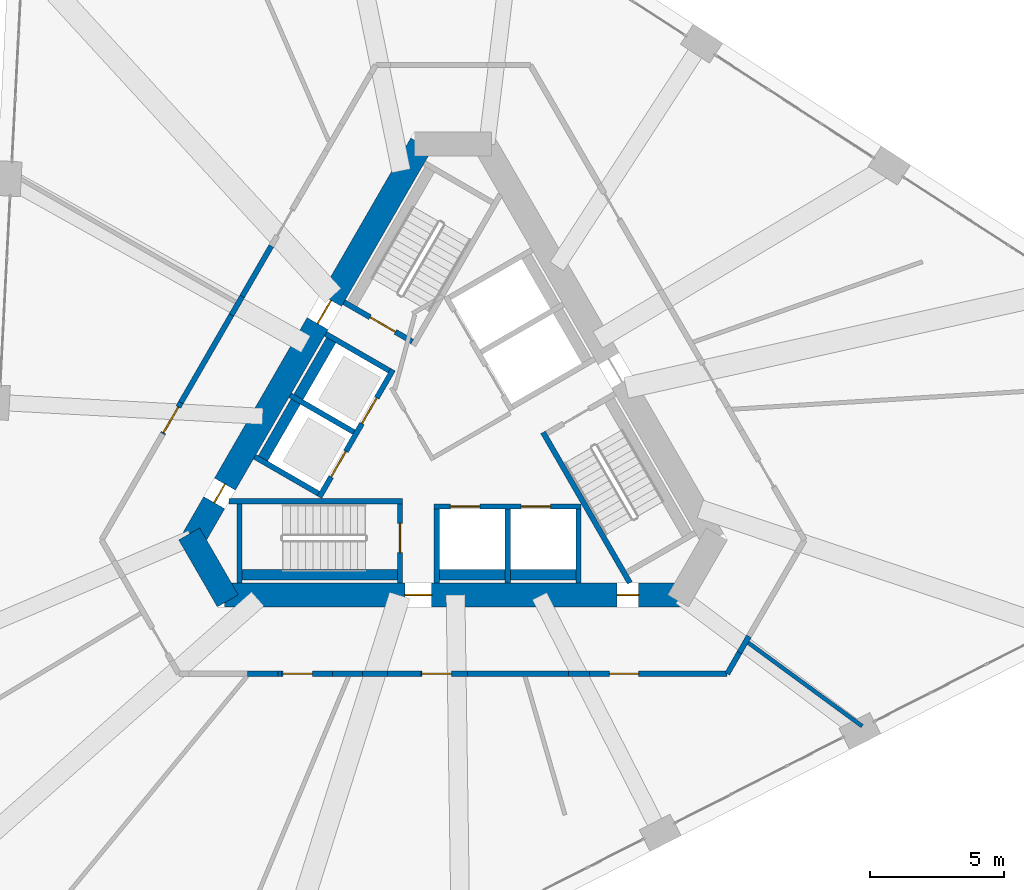
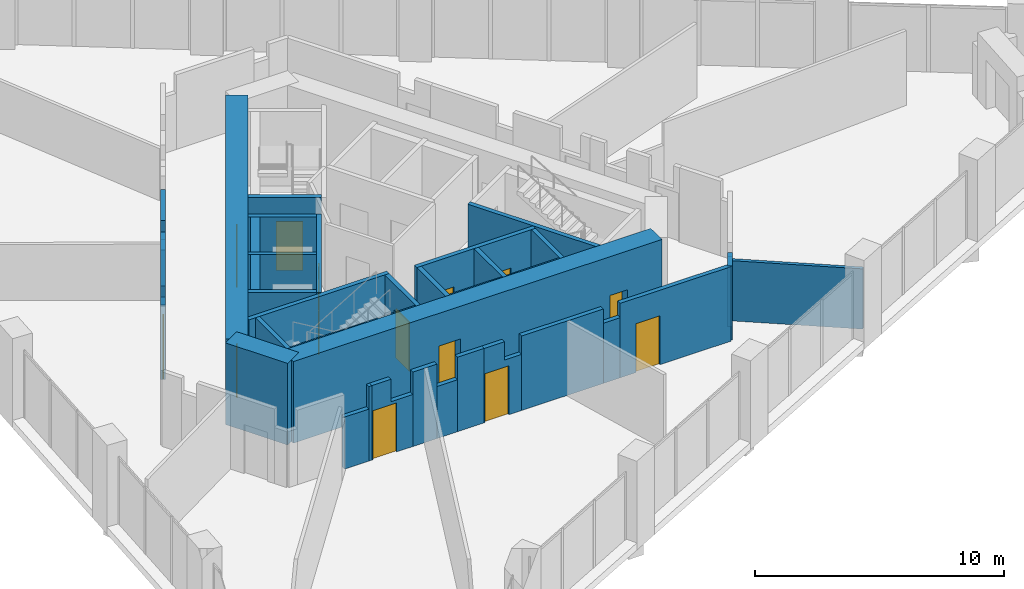
# One storey, part 12 of 18: 36 walls, 14 doors, 14 openings.
"""IFC4 building model written with IfcOpenShell, lengths in metres."""

from ifc_helpers import new_model, si_unit, direction, frame, frame_2d, origin, place, context, subcontext, project, spatial, polyline, rectangle, outline, extrude, material, layer, layer_set, type_object, element, fill, save


model = new_model("IFC4")

# Units and contexts
model_context = context("Model", 3, precision=1e-05, world=origin(), true_north=direction((0.0, 1.0)))
body_context = subcontext(model_context, "Body", "Model", "MODEL_VIEW")
ifc_project = project(units=[si_unit("LENGTHUNIT", "METRE"), si_unit("AREAUNIT", "SQUARE_METRE"), si_unit("VOLUMEUNIT", "CUBIC_METRE"), si_unit("PLANEANGLEUNIT", "RADIAN"), si_unit("MASSUNIT", "GRAM", prefix="KILO")], contexts=[model_context])

# Site, building, storey
site_placement = place(None, origin())
site = spatial("IfcSite", under=ifc_project, at=site_placement, CompositionType="ELEMENT")
building_placement = place(site_placement, origin())
building = spatial("IfcBuilding", under=site, at=building_placement, Name="Tramontana Tower", CompositionType="ELEMENT")
storey_placement = place(building_placement, frame((0.0, 0.0, 125.60009765625)))
storey = spatial("IfcBuildingStorey", under=building, at=storey_placement, Name="L28", CompositionType="ELEMENT", Elevation=125.60009765625)

# Wall, openings, doors
ifc_material_1 = material(Name="Concrete 70 MPa", Category="concrete")
ifc_layer_1 = layer(ifc_material_1, 0.89990234375)
ifc_layer_set_1 = layer_set([ifc_layer_1], Name="Core wall 900 70 MPa")
wall_type_1 = type_object("IfcWallType", Name="Core wall 900 70 MPa", PredefinedType="SHEAR", material=ifc_layer_set_1)
wall_1_placement = place(storey_placement, frame((-1.18359375, 10.550048828125, 0.0), z_axis=(0.0, 0.0, 1.0), x_axis=(-0.500004814304, -0.866022624227, 0.0)))
wall_1 = element("IfcWall", 1, at=wall_1_placement, inside=storey, type_object=wall_type_1, Name="Core wall C1 L28", PredefinedType="SHEAR", context=body_context, shape_type="SweptSolid", body=[
    extrude(rectangle(XDim=17.089599609375, YDim=0.89990234375, at=frame_2d((8.544921875, 0.0))), origin(), (0.0, 0.0, 1.0), 4.0),
])
opening_1_placement = place(wall_1_placement, frame((6.749755859375, 0.0, 0.0)))
opening_1 = element("IfcOpeningElement", 2, at=opening_1_placement, cuts=wall_1, Name="Opening RG1", PredefinedType="OPENING", context=body_context, shape_type="SweptSolid", body=[
    extrude(rectangle(XDim=1.0, YDim=2.39990234375, at=frame_2d((0.5, 1.199951171875))), frame((0.0, 0.4599609375, 0.0), z_axis=(0.0, -1.0, 0.0), x_axis=(1.0, 0.0, 0.0)), (0.0, 0.0, 1.0), 0.919921875),
])
opening_2_placement = place(wall_1_placement, frame((14.678466796875, 0.0, 0.0)))
opening_2 = element("IfcOpeningElement", 3, at=opening_2_placement, cuts=wall_1, Name="Opening PD1", PredefinedType="OPENING", context=body_context, shape_type="SweptSolid", body=[
    extrude(rectangle(XDim=0.800048828125, YDim=2.10009765625, at=frame_2d((0.39990234375, 1.050048828125))), frame((0.0, 0.4599609375, 0.0), z_axis=(0.0, -1.0, 0.0), x_axis=(1.0, 0.0, 0.0)), (0.0, 0.0, 1.0), 0.919921875),
])
ifc_material_2 = material(Name="Painted steel", Category="steel")
door_type_1 = type_object("IfcDoorType", Name="CUPBOARD DOOR 800", OperationType="SINGLE_SWING_LEFT", PredefinedType="DOOR", material=ifc_material_2)
door_1_placement = place(opening_2_placement, origin())
door_1 = element("IfcDoor", 4, at=door_1_placement, inside=storey, type_object=door_type_1, Name="Door PD1", OperationType="SINGLE_SWING_LEFT", OverallHeight=2.10009765625, OverallWidth=0.800048828125, PredefinedType="DOOR", context=body_context, shape_type="SweptSolid", body=[
    extrude(rectangle(XDim=0.800048828125, YDim=2.10009765625, at=frame_2d((0.39990234375, 1.050048828125))), frame((0.0, 0.02490234375, 0.0), z_axis=(0.0, -1.0, 0.0), x_axis=(1.0, 0.0, 0.0)), (0.0, 0.0, 1.0), 0.050048828125),
])
fill(opening_2, door_1)
ifc_material_3 = material(Name="Painted steel", Category="steel")
door_type_2 = type_object("IfcDoorType", Name="RING DOOR 1000", OperationType="SINGLE_SWING_LEFT", PredefinedType="DOOR", material=ifc_material_3)
door_2_placement = place(opening_1_placement, origin())
door_2 = element("IfcDoor", 5, at=door_2_placement, inside=storey, type_object=door_type_2, Name="Door RG1", OperationType="SINGLE_SWING_RIGHT", OverallHeight=2.39990234375, OverallWidth=1.0, PredefinedType="DOOR", context=body_context, shape_type="SweptSolid", body=[
    extrude(rectangle(XDim=1.0, YDim=2.39990234375, at=frame_2d((0.5, 1.199951171875))), frame((0.0, 0.02490234375, 0.0), z_axis=(0.0, -1.0, 0.0), x_axis=(1.0, 0.0, 0.0)), (0.0, 0.0, 1.0), 0.050048828125),
])
fill(opening_1, door_2)

# Wall
wall_2_placement = place(storey_placement, frame((-9.8583984375, -4.02490234375, 0.0), z_axis=(0.0, 0.0, 1.0), x_axis=(0.500059191753, -0.865991226713, 0.0)))
element("IfcWall", 6, at=wall_2_placement, inside=storey, type_object=wall_type_1, Name="Core wall C2 L28", PredefinedType="SHEAR", context=body_context, shape_type="SweptSolid", body=[
    extrude(rectangle(XDim=2.886962890625, YDim=0.89990234375, at=frame_2d((1.443359375, 0.0))), origin(), (0.0, 0.0, 1.0), 4.0),
])

# Wall, openings, doors
wall_3_placement = place(storey_placement, frame((-8.544921875, -6.300048828125, 0.0), z_axis=(0.0, 0.0, 1.0), x_axis=(1.0, 0.0, 0.0)))
wall_3 = element("IfcWall", 7, at=wall_3_placement, inside=storey, type_object=wall_type_1, Name="Core wall C3 L28", PredefinedType="SHEAR", context=body_context, shape_type="SweptSolid", body=[
    extrude(rectangle(XDim=17.08984375, YDim=0.89990234375, at=frame_2d((8.544921875, 0.0))), origin(), (0.0, 0.0, 1.0), 4.0),
])
opening_3_placement = place(wall_3_placement, frame((6.749755859375, 0.0, 0.0)))
opening_3 = element("IfcOpeningElement", 8, at=opening_3_placement, cuts=wall_3, Name="Opening RG2", PredefinedType="OPENING", context=body_context, shape_type="SweptSolid", body=[
    extrude(rectangle(XDim=1.0, YDim=2.39990234375, at=frame_2d((0.5, 1.199951171875))), frame((0.0, 0.4599609375, 0.0), z_axis=(0.0, -1.0, 0.0), x_axis=(1.0, 0.0, 0.0)), (0.0, 0.0, 1.0), 0.919921875),
])
opening_4_placement = place(wall_3_placement, frame((14.678466796875, 0.0, 0.0)))
opening_4 = element("IfcOpeningElement", 9, at=opening_4_placement, cuts=wall_3, Name="Opening PD2", PredefinedType="OPENING", context=body_context, shape_type="SweptSolid", body=[
    extrude(rectangle(XDim=0.800048828125, YDim=2.10009765625, at=frame_2d((0.39990234375, 1.050048828125))), frame((0.0, 0.4599609375, 0.0), z_axis=(0.0, -1.0, 0.0), x_axis=(1.0, 0.0, 0.0)), (0.0, 0.0, 1.0), 0.919921875),
])
door_3_placement = place(opening_4_placement, origin())
door_3 = element("IfcDoor", 10, at=door_3_placement, inside=storey, type_object=door_type_1, Name="Door PD2", OperationType="SINGLE_SWING_RIGHT", OverallHeight=2.10009765625, OverallWidth=0.800048828125, PredefinedType="DOOR", context=body_context, shape_type="SweptSolid", body=[
    extrude(rectangle(XDim=0.800048828125, YDim=2.10009765625, at=frame_2d((0.39990234375, 1.050048828125))), frame((0.0, 0.02490234375, 0.0), z_axis=(0.0, -1.0, 0.0), x_axis=(1.0, 0.0, 0.0)), (0.0, 0.0, 1.0), 0.050048828125),
])
fill(opening_4, door_3)
door_4_placement = place(opening_3_placement, origin())
door_4 = element("IfcDoor", 11, at=door_4_placement, inside=storey, type_object=door_type_2, Name="Door RG2", OperationType="SINGLE_SWING_LEFT", OverallHeight=2.39990234375, OverallWidth=1.0, PredefinedType="DOOR", context=body_context, shape_type="SweptSolid", body=[
    extrude(rectangle(XDim=1.0, YDim=2.39990234375, at=frame_2d((0.5, 1.199951171875))), frame((0.0, 0.02490234375, 0.0), z_axis=(0.0, -1.0, 0.0), x_axis=(1.0, 0.0, 0.0)), (0.0, 0.0, 1.0), 0.050048828125),
])
fill(opening_3, door_4)

# Walls
ifc_material_4 = material(Name="Blockwork", Category="masonry")
ifc_layer_2 = layer(ifc_material_4, 0.199951171875)
ifc_layer_set_2 = layer_set([ifc_layer_2], Name="ENTRY WALL 200")
wall_type_2 = type_object("IfcWallType", Name="ENTRY WALL 200", PredefinedType="SOLIDWALL", material=ifc_layer_set_2)
wall_4_placement = place(storey_placement, frame((11.056884765625, -7.848876953125, 0.0), z_axis=(0.0, 0.0, 1.0), x_axis=(-0.500012199891, -0.86601836006, 0.0)))
element("IfcWall", 12, at=wall_4_placement, inside=storey, type_object=wall_type_2, Name="Wall ew1-2", PredefinedType="SOLIDWALL", context=body_context, shape_type="SweptSolid", body=[
    extrude(rectangle(XDim=0.705078125, YDim=0.199951171875, at=frame_2d((0.3525390625, 0.0))), origin(), (0.0, 0.0, 1.0), 2.949951171875),
])
wall_5_placement = place(storey_placement, frame((10.704345703125, -8.45947265625, 0.0), z_axis=(0.0, 0.0, 1.0), x_axis=(-0.499907684424, -0.866078695647, 0.0)))
element("IfcWall", 13, at=wall_5_placement, inside=storey, type_object=wall_type_2, Name="Wall ew1-3", PredefinedType="SOLIDWALL", context=body_context, shape_type="SweptSolid", body=[
    extrude(rectangle(XDim=0.912841796875, YDim=0.199951171875, at=frame_2d((0.45654296875, 0.0))), origin(), (0.0, 0.0, 1.0), 3.64990234375),
])

# Wall, opening, door
wall_6_placement = place(storey_placement, frame((10.248046875, -9.25, 0.0), z_axis=(0.0, 0.0, 1.0), x_axis=(-1.0, 0.0, 0.0)))
wall_6 = element("IfcWall", 14, at=wall_6_placement, inside=storey, type_object=wall_type_2, Name="Wall ew2-0", PredefinedType="SOLIDWALL", context=body_context, shape_type="SweptSolid", body=[
    extrude(rectangle(XDim=5.14208984375, YDim=0.199951171875, at=frame_2d((2.571044921875, 0.0))), origin(), (0.0, 0.0, 1.0), 3.64990234375),
])
opening_5_placement = place(wall_6_placement, frame((3.30810546875, 0.0, 0.0)))
opening_5 = element("IfcOpeningElement", 15, at=opening_5_placement, cuts=wall_6, Name="Opening L28-07", PredefinedType="OPENING", context=body_context, shape_type="SweptSolid", body=[
    extrude(rectangle(XDim=1.10009765625, YDim=2.39990234375, at=frame_2d((0.550048828125, 1.199951171875))), frame((0.0, 0.10986328125, 0.0), z_axis=(0.0, -1.0, 0.0), x_axis=(1.0, 0.0, 0.0)), (0.0, 0.0, 1.0), 0.219970703125),
])
ifc_material_5 = material(Name="Painted timber", Category="wood")
door_type_3 = type_object("IfcDoorType", Name="DOOR ENTRY 1100", OperationType="SINGLE_SWING_LEFT", PredefinedType="DOOR", material=ifc_material_5)
door_5_placement = place(opening_5_placement, origin())
door_5 = element("IfcDoor", 16, at=door_5_placement, inside=storey, type_object=door_type_3, Name="Door L28-07", OperationType="SINGLE_SWING_LEFT", OverallHeight=2.39990234375, OverallWidth=1.10009765625, PredefinedType="DOOR", context=body_context, shape_type="SweptSolid", body=[
    extrude(rectangle(XDim=1.10009765625, YDim=2.39990234375, at=frame_2d((0.550048828125, 1.199951171875))), frame((0.0, 0.02490234375, 0.0), z_axis=(0.0, -1.0, 0.0), x_axis=(1.0, 0.0, 0.0)), (0.0, 0.0, 1.0), 0.050048828125),
])
fill(opening_5, door_5)

# Walls
wall_7_placement = place(storey_placement, frame((5.10595703125, -9.25, 0.0), z_axis=(0.0, 0.0, 1.0), x_axis=(-1.0, 0.0, 0.0)))
element("IfcWall", 17, at=wall_7_placement, inside=storey, type_object=wall_type_2, Name="Wall ew2-1", PredefinedType="SOLIDWALL", context=body_context, shape_type="SweptSolid", body=[
    extrude(rectangle(XDim=0.78564453125, YDim=0.199951171875, at=frame_2d((0.392822265625, 0.0))), origin(), (0.0, 0.0, 1.0), 2.949951171875),
])
wall_8_placement = place(storey_placement, frame((4.3203125, -9.25, 0.0), z_axis=(0.0, 0.0, 1.0), x_axis=(-1.0, 0.0, 0.0)))
element("IfcWall", 18, at=wall_8_placement, inside=storey, type_object=wall_type_2, Name="Wall ew2-2", PredefinedType="SOLIDWALL", context=body_context, shape_type="SweptSolid", body=[
    extrude(rectangle(XDim=3.783203125, YDim=0.199951171875, at=frame_2d((1.8916015625, 0.0))), origin(), (0.0, 0.0, 1.0), 3.64990234375),
])

# Wall, opening, door
wall_9_placement = place(storey_placement, frame((0.537109375, -9.25, 0.0), z_axis=(0.0, 0.0, 1.0), x_axis=(-1.0, 0.0, 0.0)))
wall_9 = element("IfcWall", 19, at=wall_9_placement, inside=storey, type_object=wall_type_2, Name="Wall ew2-3", PredefinedType="SOLIDWALL", context=body_context, shape_type="SweptSolid", body=[
    extrude(outline(polyline([(0.0, 0.0), (1.740478515625, 0.0), (1.740478515625, 3.64990234375), (0.800048828125, 3.64990234375), (0.800048828125, 2.75), (0.0, 2.75), (0.0, 0.0)])), frame((0.0, 0.10009765625, 0.0), z_axis=(0.0, -1.0, 0.0), x_axis=(1.0, 0.0, 0.0)), (0.0, 0.0, 1.0), 0.199951171875),
])
opening_6_placement = place(wall_9_placement, frame((0.59033203125, 0.0, 0.0)))
opening_6 = element("IfcOpeningElement", 20, at=opening_6_placement, cuts=wall_9, Name="Opening L28-06", PredefinedType="OPENING", context=body_context, shape_type="SweptSolid", body=[
    extrude(rectangle(XDim=1.10009765625, YDim=2.39990234375, at=frame_2d((0.550048828125, 1.199951171875))), frame((0.0, 0.10986328125, 0.0), z_axis=(0.0, -1.0, 0.0), x_axis=(1.0, 0.0, 0.0)), (0.0, 0.0, 1.0), 0.219970703125),
])
door_6_placement = place(opening_6_placement, origin())
door_6 = element("IfcDoor", 21, at=door_6_placement, inside=storey, type_object=door_type_3, Name="Door L28-06", OperationType="SINGLE_SWING_RIGHT", OverallHeight=2.39990234375, OverallWidth=1.10009765625, PredefinedType="DOOR", context=body_context, shape_type="SweptSolid", body=[
    extrude(rectangle(XDim=1.10009765625, YDim=2.39990234375, at=frame_2d((0.550048828125, 1.199951171875))), frame((0.0, 0.02490234375, 0.0), z_axis=(0.0, -1.0, 0.0), x_axis=(1.0, 0.0, 0.0)), (0.0, 0.0, 1.0), 0.050048828125),
])
fill(opening_6, door_6)

# Walls
wall_10_placement = place(storey_placement, frame((-1.203369140625, -9.25, 0.0), z_axis=(0.0, 0.0, 1.0), x_axis=(-1.0, 0.0, 0.0)))
element("IfcWall", 22, at=wall_10_placement, inside=storey, type_object=wall_type_2, Name="Wall ew2-4", PredefinedType="SOLIDWALL", context=body_context, shape_type="SweptSolid", body=[
    extrude(rectangle(XDim=1.23779296875, YDim=0.199951171875, at=frame_2d((0.618896484375, 0.0))), origin(), (0.0, 0.0, 1.0), 3.64990234375),
])
wall_11_placement = place(storey_placement, frame((-2.441162109375, -9.25, 0.0), z_axis=(0.0, 0.0, 1.0), x_axis=(-1.0, 0.0, 0.0)))
element("IfcWall", 23, at=wall_11_placement, inside=storey, type_object=wall_type_2, Name="Wall ew2-5", PredefinedType="SOLIDWALL", context=body_context, shape_type="SweptSolid", body=[
    extrude(rectangle(XDim=0.943603515625, YDim=0.199951171875, at=frame_2d((0.4716796875, 0.0))), origin(), (0.0, 0.0, 1.0), 2.5498046875),
])
wall_12_placement = place(storey_placement, frame((-3.384765625, -9.25, 0.0), z_axis=(0.0, 0.0, 1.0), x_axis=(-1.0, 0.0, 0.0)))
element("IfcWall", 24, at=wall_12_placement, inside=storey, type_object=wall_type_2, Name="Wall ew2-6", PredefinedType="SOLIDWALL", context=body_context, shape_type="SweptSolid", body=[
    extrude(rectangle(XDim=1.114013671875, YDim=0.199951171875, at=frame_2d((0.55712890625, 0.0))), origin(), (0.0, 0.0, 1.0), 3.64990234375),
])

# Wall, opening, door
wall_13_placement = place(storey_placement, frame((-4.498779296875, -9.25, 0.0), z_axis=(0.0, 0.0, 1.0), x_axis=(-1.0, 0.0, 0.0)))
wall_13 = element("IfcWall", 25, at=wall_13_placement, inside=storey, type_object=wall_type_2, Name="Wall ew2-7", PredefinedType="SOLIDWALL", context=body_context, shape_type="SweptSolid", body=[
    extrude(outline(polyline([(0.0, 0.0), (1.90380859375, 0.0), (1.904052734375, 3.64990234375), (1.0234375, 3.64990234375), (1.0234375, 2.5498046875), (0.0, 2.5498046875), (0.0, 0.0)])), frame((0.0, 0.10009765625, 0.0), z_axis=(0.0, -1.0, 0.0), x_axis=(1.0, 0.0, 0.0)), (0.0, 0.0, 1.0), 0.199951171875),
])
opening_7_placement = place(wall_13_placement, frame((0.754150390625, 0.0, 0.0)))
opening_7 = element("IfcOpeningElement", 26, at=opening_7_placement, cuts=wall_13, Name="Opening L28-05", PredefinedType="OPENING", context=body_context, shape_type="SweptSolid", body=[
    extrude(rectangle(XDim=1.10009765625, YDim=2.39990234375, at=frame_2d((0.550048828125, 1.199951171875))), frame((0.0, 0.10986328125, 0.0), z_axis=(0.0, -1.0, 0.0), x_axis=(1.0, 0.0, 0.0)), (0.0, 0.0, 1.0), 0.219970703125),
])
door_7_placement = place(opening_7_placement, origin())
door_7 = element("IfcDoor", 27, at=door_7_placement, inside=storey, type_object=door_type_3, Name="Door L28-05", OperationType="SINGLE_SWING_LEFT", OverallHeight=2.39990234375, OverallWidth=1.10009765625, PredefinedType="DOOR", context=body_context, shape_type="SweptSolid", body=[
    extrude(rectangle(XDim=1.10009765625, YDim=2.39990234375, at=frame_2d((0.550048828125, 1.199951171875))), frame((0.0, 0.02490234375, 0.0), z_axis=(0.0, -1.0, 0.0), x_axis=(1.0, 0.0, 0.0)), (0.0, 0.0, 1.0), 0.050048828125),
])
fill(opening_7, door_7)

# Walls
wall_14_placement = place(storey_placement, frame((-6.402587890625, -9.25, 0.0), z_axis=(0.0, 0.0, 1.0), x_axis=(-1.0, 0.0, 0.0)))
element("IfcWall", 28, at=wall_14_placement, inside=storey, type_object=wall_type_2, Name="Wall ew2-8", PredefinedType="SOLIDWALL", context=body_context, shape_type="SweptSolid", body=[
    extrude(rectangle(XDim=0.14208984375, YDim=0.199951171875, at=frame_2d((0.071044921875, 0.0))), origin(), (0.0, 0.0, 1.0), 3.64990234375),
])
wall_15_placement = place(storey_placement, frame((-6.544677734375, -9.25, 0.0), z_axis=(0.0, 0.0, 1.0), x_axis=(-1.0, 0.0, 0.0)))
element("IfcWall", 29, at=wall_15_placement, inside=storey, type_object=wall_type_2, Name="Wall ew2-9", PredefinedType="SOLIDWALL", context=body_context, shape_type="SweptSolid", body=[
    extrude(rectangle(XDim=1.13525390625, YDim=0.199951171875, at=frame_2d((0.567626953125, 0.0))), origin(), (0.0, 0.0, 1.0), 2.5498046875),
])

# Wall, opening, door
wall_16_placement = place(storey_placement, frame((-10.842041015625, -0.27880859375, 0.0), z_axis=(0.0, 0.0, 1.0), x_axis=(0.500032109083, 0.866006864803, 0.0)))
wall_16 = element("IfcWall", 30, at=wall_16_placement, inside=storey, type_object=wall_type_2, Name="Wall ew4-1", PredefinedType="SOLIDWALL", context=body_context, shape_type="SweptSolid", body=[
    extrude(outline(polyline([(0.0, 0.0), (1.34228515625, 0.0), (1.34228515625, 2.949951171875), (0.556640625, 2.949951171875), (0.556640625, 3.64990234375), (0.0, 3.64990234375), (0.0, 0.0)])), frame((0.0, 0.10009765625, 0.0), z_axis=(0.0, -1.0, 0.0), x_axis=(1.0, 0.0, 0.0)), (0.0, 0.0, 1.0), 0.199951171875),
])
opening_8_placement = place(wall_16_placement, frame((0.050048828125, 0.0, 0.0)))
opening_8 = element("IfcOpeningElement", 31, at=opening_8_placement, cuts=wall_16, Name="Opening L28-03", PredefinedType="OPENING", context=body_context, shape_type="SweptSolid", body=[
    extrude(rectangle(XDim=1.10009765625, YDim=2.39990234375, at=frame_2d((0.550048828125, 1.199951171875))), frame((0.0, 0.10986328125, 0.0), z_axis=(0.0, -1.0, 0.0), x_axis=(1.0, 0.0, 0.0)), (0.0, 0.0, 1.0), 0.219970703125),
])
door_8_placement = place(opening_8_placement, origin())
door_8 = element("IfcDoor", 32, at=door_8_placement, inside=storey, type_object=door_type_3, Name="Door L28-03", OperationType="SINGLE_SWING_LEFT", OverallHeight=2.39990234375, OverallWidth=1.10009765625, PredefinedType="DOOR", context=body_context, shape_type="SweptSolid", body=[
    extrude(rectangle(XDim=1.10009765625, YDim=2.39990234375, at=frame_2d((0.550048828125, 1.199951171875))), frame((0.0, 0.02490234375, 0.0), z_axis=(0.0, -1.0, 0.0), x_axis=(1.0, 0.0, 0.0)), (0.0, 0.0, 1.0), 0.050048828125),
])
fill(opening_8, door_8)

# Walls
wall_17_placement = place(storey_placement, frame((-10.1708984375, 0.883544921875, 0.0), z_axis=(0.0, 0.0, 1.0), x_axis=(0.499998034377, 0.866026538634, 0.0)))
element("IfcWall", 33, at=wall_17_placement, inside=storey, type_object=wall_type_2, Name="Wall ew4-2", PredefinedType="SOLIDWALL", context=body_context, shape_type="SweptSolid", body=[
    extrude(rectangle(XDim=3.783203125, YDim=0.199951171875, at=frame_2d((1.8916015625, 0.0))), origin(), (0.0, 0.0, 1.0), 3.64990234375),
])
wall_18_placement = place(storey_placement, frame((-8.279296875, 4.159912109375, 0.0), z_axis=(0.0, 0.0, 1.0), x_axis=(0.500109828528, 0.865961984968, 0.0)))
element("IfcWall", 34, at=wall_18_placement, inside=storey, type_object=wall_type_2, Name="Wall ew4-3", PredefinedType="SOLIDWALL", context=body_context, shape_type="SweptSolid", body=[
    extrude(rectangle(XDim=0.800048828125, YDim=0.199951171875, at=frame_2d((0.39990234375, 0.0))), origin(), (0.0, 0.0, 1.0), 2.75),
])
wall_19_placement = place(storey_placement, frame((-7.879150390625, 4.852783203125, 0.0), z_axis=(0.0, 0.0, 1.0), x_axis=(0.499948868167, 0.866054922749, 0.0)))
element("IfcWall", 35, at=wall_19_placement, inside=storey, type_object=wall_type_2, Name="Wall ew4-4", PredefinedType="SOLIDWALL", context=body_context, shape_type="SweptSolid", body=[
    extrude(rectangle(XDim=2.177978515625, YDim=0.199951171875, at=frame_2d((1.0888671875, 0.0))), origin(), (0.0, 0.0, 1.0), 3.64990234375),
])
ifc_material_6 = material(Name="Gypsum board partition")
ifc_layer_3 = layer(ifc_material_6, 0.14990234375)
ifc_layer_set_3 = layer_set([ifc_layer_3], Name="PARTITION 150")
wall_type_3 = type_object("IfcWallType", Name="PARTITION 150", PredefinedType="PARTITIONING", material=ifc_layer_set_3)
wall_20_placement = place(storey_placement, frame((11.03466796875, -8.08740234375, 0.0), z_axis=(0.0, 0.0, 1.0), x_axis=(0.806587239444, -0.591115069311, 0.0)))
element("IfcWall", 36, at=wall_20_placement, inside=storey, type_object=wall_type_3, Name="Wall fw-pw07-0", PredefinedType="PARTITIONING", context=body_context, shape_type="SweptSolid", body=[
    extrude(rectangle(XDim=5.280029296875, YDim=0.14990234375, at=frame_2d((2.64013671875, 0.0))), origin(), (0.0, 0.0, 1.0), 2.949951171875),
])
ifc_material_7 = material(Name="Concrete 70 MPa", Category="concrete")
ifc_layer_4 = layer(ifc_material_7, 0.39990234375)
ifc_layer_set_4 = layer_set([ifc_layer_4], Name="Concrete 70 MPa, 400 mm")
wall_type_4 = type_object("IfcWallType", Name="RC SHAFT BACK WALL 400", PredefinedType="SOLIDWALL", material=ifc_layer_set_4)
wall_21_placement = place(storey_placement, frame((-8.080078125, -5.550048828125, 0.0), z_axis=(0.0, 0.0, 1.0), x_axis=(1.0, 0.0, 0.0)))
element("IfcWall", 37, at=wall_21_placement, inside=storey, type_object=wall_type_4, Name="Wall st2-back", PredefinedType="SOLIDWALL", context=body_context, shape_type="SweptSolid", body=[
    extrude(rectangle(XDim=6.2001953125, YDim=0.39990234375, at=frame_2d((3.10009765625, 0.0))), origin(), (0.0, 0.0, 1.0), 3.64990234375),
])
for number, where, z_axis, x_axis, name in (
    (38, (-4.451416015625, 3.389892578125, 0.0), (0.0, 0.0, 1.0), (-0.499996545922, -0.866027397988, 0.0), "Wall row0-back"),
    (39, (-0.7099609375, -5.550048828125, 0.0), (0.0, 0.0, 1.0), (1.0, 0.0, 0.0), "Wall row1-back"),
):
    element("IfcWall", number, at=place(storey_placement, frame(where, z_axis=z_axis, x_axis=x_axis)), inside=storey, type_object=wall_type_4, Name=name, PredefinedType="SOLIDWALL", context=body_context, shape_type="SweptSolid", body=[
        extrude(rectangle(XDim=5.5, YDim=0.39990234375, at=frame_2d((2.75, 0.0))), origin(), (0.0, 0.0, 1.0), 3.64990234375),
    ])

# Wall, opening, door
ifc_material_8 = material(Name="Concrete 70 MPa", Category="concrete")
ifc_layer_5 = layer(ifc_material_8, 0.199951171875)
ifc_layer_set_5 = layer_set([ifc_layer_5], Name="Concrete 70 MPa, 200 mm")
wall_type_5 = type_object("IfcWallType", Name="RC STAIR AND SHAFT WALL 200", PredefinedType="SOLIDWALL", material=ifc_layer_set_5)
wall_22_placement = place(storey_placement, frame((-1.521484375, 3.164794921875, 0.0), z_axis=(0.0, 0.0, 1.0), x_axis=(-0.866039495442, 0.49997559174, 0.0)))
wall_22 = element("IfcWall", 40, at=wall_22_placement, inside=storey, type_object=wall_type_5, Name="Wall st1-near", PredefinedType="SOLIDWALL", context=body_context, shape_type="SweptSolid", body=[
    extrude(rectangle(XDim=2.949951171875, YDim=0.199951171875, at=frame_2d((1.47509765625, 0.0))), origin(), (0.0, 0.0, 1.0), 3.64990234375),
])
opening_9_placement = place(wall_22_placement, frame((0.72509765625, 0.0, 0.0)))
opening_9 = element("IfcOpeningElement", 41, at=opening_9_placement, cuts=wall_22, Name="Opening SD1", PredefinedType="OPENING", context=body_context, shape_type="SweptSolid", body=[
    extrude(rectangle(XDim=1.10009765625, YDim=2.39990234375, at=frame_2d((0.550048828125, 1.199951171875))), frame((0.0, 0.10986328125, 0.0), z_axis=(0.0, -1.0, 0.0), x_axis=(1.0, 0.0, 0.0)), (0.0, 0.0, 1.0), 0.219970703125),
])
ifc_material_9 = material(Name="Painted steel", Category="steel")
door_type_4 = type_object("IfcDoorType", Name="STAIR DOOR 1100", OperationType="SINGLE_SWING_LEFT", PredefinedType="DOOR", material=ifc_material_9)
door_9_placement = place(opening_9_placement, origin())
door_9 = element("IfcDoor", 42, at=door_9_placement, inside=storey, type_object=door_type_4, Name="Door SD1", OperationType="SINGLE_SWING_RIGHT", OverallHeight=2.39990234375, OverallWidth=1.10009765625, PredefinedType="DOOR", context=body_context, shape_type="SweptSolid", body=[
    extrude(rectangle(XDim=1.10009765625, YDim=2.39990234375, at=frame_2d((0.550048828125, 1.199951171875))), frame((0.0, 0.02490234375, 0.0), z_axis=(0.0, -1.0, 0.0), x_axis=(1.0, 0.0, 0.0)), (0.0, 0.0, 1.0), 0.050048828125),
])
fill(opening_9, door_9)

# Walls
wall_23_placement = place(storey_placement, frame((-8.37158203125, -2.800048828125, 0.0), z_axis=(0.0, 0.0, 1.0), x_axis=(1.0, 0.0, 0.0)))
element("IfcWall", 43, at=wall_23_placement, inside=storey, type_object=wall_type_5, Name="Wall st2-front", PredefinedType="SOLIDWALL", context=body_context, shape_type="SweptSolid", body=[
    extrude(rectangle(XDim=6.49169921875, YDim=0.199951171875, at=frame_2d((3.245849609375, 0.0))), origin(), (0.0, 0.0, 1.0), 3.64990234375),
])
wall_24_placement = place(storey_placement, frame((-7.97998046875, -2.89990234375, 0.0), z_axis=(0.0, 0.0, 1.0), x_axis=(0.0, -1.0, 0.0)))
element("IfcWall", 44, at=wall_24_placement, inside=storey, type_object=wall_type_5, Name="Wall st2-far", PredefinedType="SOLIDWALL", context=body_context, shape_type="SweptSolid", body=[
    extrude(rectangle(XDim=2.9501953125, YDim=0.199951171875, at=frame_2d((1.47509765625, 0.0))), origin(), (0.0, 0.0, 1.0), 3.64990234375),
])

# Wall, opening, door
wall_25_placement = place(storey_placement, frame((-1.97998046875, -2.89990234375, 0.0), z_axis=(0.0, 0.0, 1.0), x_axis=(0.0, -1.0, 0.0)))
wall_25 = element("IfcWall", 45, at=wall_25_placement, inside=storey, type_object=wall_type_5, Name="Wall st2-near", PredefinedType="SOLIDWALL", context=body_context, shape_type="SweptSolid", body=[
    extrude(rectangle(XDim=2.9501953125, YDim=0.199951171875, at=frame_2d((1.47509765625, 0.0))), origin(), (0.0, 0.0, 1.0), 3.64990234375),
])
opening_10_placement = place(wall_25_placement, frame((0.72509765625, 0.0, 0.0)))
opening_10 = element("IfcOpeningElement", 46, at=opening_10_placement, cuts=wall_25, Name="Opening SD2", PredefinedType="OPENING", context=body_context, shape_type="SweptSolid", body=[
    extrude(rectangle(XDim=1.10009765625, YDim=2.39990234375, at=frame_2d((0.550048828125, 1.199951171875))), frame((0.0, 0.10986328125, 0.0), z_axis=(0.0, -1.0, 0.0), x_axis=(1.0, 0.0, 0.0)), (0.0, 0.0, 1.0), 0.219970703125),
])
door_10_placement = place(opening_10_placement, origin())
door_10 = element("IfcDoor", 47, at=door_10_placement, inside=storey, type_object=door_type_4, Name="Door SD2", OperationType="SINGLE_SWING_LEFT", OverallHeight=2.39990234375, OverallWidth=1.10009765625, PredefinedType="DOOR", context=body_context, shape_type="SweptSolid", body=[
    extrude(rectangle(XDim=1.10009765625, YDim=2.39990234375, at=frame_2d((0.550048828125, 1.199951171875))), frame((0.0, 0.02490234375, 0.0), z_axis=(0.0, -1.0, 0.0), x_axis=(1.0, 0.0, 0.0)), (0.0, 0.0, 1.0), 0.050048828125),
])
fill(opening_10, door_10)

# Wall
wall_26_placement = place(storey_placement, frame((6.610595703125, -5.85009765625, 0.0), z_axis=(0.0, 0.0, 1.0), x_axis=(-0.499965531574, 0.866045303225, 0.0)))
element("IfcWall", 48, at=wall_26_placement, inside=storey, type_object=wall_type_5, Name="Wall st3-front", PredefinedType="SOLIDWALL", context=body_context, shape_type="SweptSolid", body=[
    extrude(rectangle(XDim=6.49169921875, YDim=0.199951171875, at=frame_2d((3.245849609375, 0.0))), origin(), (0.0, 0.0, 1.0), 3.64990234375),
])

# Wall, openings, doors
wall_27_placement = place(storey_placement, frame((-2.2431640625, 2.114990234375, 0.0), z_axis=(0.0, 0.0, 1.0), x_axis=(-0.499996545922, -0.866027397988, 0.0)))
wall_27 = element("IfcWall", 49, at=wall_27_placement, inside=storey, type_object=wall_type_5, Name="Wall row0-front", PredefinedType="SOLIDWALL", context=body_context, shape_type="SweptSolid", body=[
    extrude(rectangle(XDim=5.5, YDim=0.199951171875, at=frame_2d((2.75, 0.0))), origin(), (0.0, 0.0, 1.0), 3.64990234375),
])
opening_11_placement = place(wall_27_placement, frame((1.219970703125, 0.0, 0.0)))
opening_11 = element("IfcOpeningElement", 50, at=opening_11_placement, cuts=wall_27, Name="Opening LD-P1", PredefinedType="OPENING", context=body_context, shape_type="SweptSolid", body=[
    extrude(rectangle(XDim=1.10009765625, YDim=2.10009765625, at=frame_2d((0.550048828125, 1.050048828125))), frame((0.0, 0.10986328125, 0.0), z_axis=(0.0, -1.0, 0.0), x_axis=(1.0, 0.0, 0.0)), (0.0, 0.0, 1.0), 0.219970703125),
])
opening_12_placement = place(wall_27_placement, frame((3.52490234375, 0.0, 0.0)))
opening_12 = element("IfcOpeningElement", 51, at=opening_12_placement, cuts=wall_27, Name="Opening LD-P2", PredefinedType="OPENING", context=body_context, shape_type="SweptSolid", body=[
    extrude(rectangle(XDim=1.10009765625, YDim=2.10009765625, at=frame_2d((0.550048828125, 1.050048828125))), frame((0.0, 0.10986328125, 0.0), z_axis=(0.0, -1.0, 0.0), x_axis=(1.0, 0.0, 0.0)), (0.0, 0.0, 1.0), 0.219970703125),
])
ifc_material_10 = material(Name="Brushed steel", Category="steel")
door_type_5 = type_object("IfcDoorType", Name="LANDING DOOR 1100", OperationType="SINGLE_SWING_LEFT", PredefinedType="DOOR", material=ifc_material_10)
door_11_placement = place(opening_11_placement, origin())
door_11 = element("IfcDoor", 52, at=door_11_placement, inside=storey, type_object=door_type_5, Name="Door LD-P1", OperationType="SLIDING_TO_LEFT", OverallHeight=2.10009765625, OverallWidth=1.10009765625, PredefinedType="DOOR", context=body_context, shape_type="SweptSolid", body=[
    extrude(rectangle(XDim=1.10009765625, YDim=2.10009765625, at=frame_2d((0.550048828125, 1.050048828125))), frame((0.0, 0.02490234375, 0.0), z_axis=(0.0, -1.0, 0.0), x_axis=(1.0, 0.0, 0.0)), (0.0, 0.0, 1.0), 0.050048828125),
])
fill(opening_11, door_11)
door_12_placement = place(opening_12_placement, origin())
door_12 = element("IfcDoor", 53, at=door_12_placement, inside=storey, type_object=door_type_5, Name="Door LD-P2", OperationType="SLIDING_TO_RIGHT", OverallHeight=2.10009765625, OverallWidth=1.10009765625, PredefinedType="DOOR", context=body_context, shape_type="SweptSolid", body=[
    extrude(rectangle(XDim=1.10009765625, YDim=2.10009765625, at=frame_2d((0.550048828125, 1.050048828125))), frame((0.0, 0.02490234375, 0.0), z_axis=(0.0, -1.0, 0.0), x_axis=(1.0, 0.0, 0.0)), (0.0, 0.0, 1.0), 0.050048828125),
])
fill(opening_12, door_12)

# Walls
for number, where, z_axis, x_axis, name in (
    (54, (-2.379638671875, 2.078369140625, 0.0), (0.0, 0.0, 1.0), (-0.866027397988, 0.499996545922, 0.0), "Wall row0-side0"),
    (55, (-3.70458984375, -0.216796875, 0.0), (0.0, 0.0, 1.0), (-0.866027397988, 0.499996545922, 0.0), "Wall row0-side1"),
):
    element("IfcWall", number, at=place(storey_placement, frame(where, z_axis=z_axis, x_axis=x_axis)), inside=storey, type_object=wall_type_5, Name=name, PredefinedType="SOLIDWALL", context=body_context, shape_type="SweptSolid", body=[
        extrude(rectangle(XDim=2.75, YDim=0.199951171875, at=frame_2d((1.375, 0.0))), origin(), (0.0, 0.0, 1.0), 3.64990234375),
    ])
wall_28_placement = place(storey_placement, frame((-5.02978515625, -2.51171875, 0.0), z_axis=(0.0, 0.0, 1.0), x_axis=(-0.866005201286, 0.500034990121, 0.0)))
element("IfcWall", 56, at=wall_28_placement, inside=storey, type_object=wall_type_5, Name="Wall row0-side2", PredefinedType="SOLIDWALL", context=body_context, shape_type="SweptSolid", body=[
    extrude(rectangle(XDim=2.749755859375, YDim=0.199951171875, at=frame_2d((1.375, 0.0))), origin(), (0.0, 0.0, 1.0), 3.64990234375),
])

# Wall, openings, doors
wall_29_placement = place(storey_placement, frame((-0.7099609375, -3.0, 0.0), z_axis=(0.0, 0.0, 1.0), x_axis=(1.0, 0.0, 0.0)))
wall_29 = element("IfcWall", 57, at=wall_29_placement, inside=storey, type_object=wall_type_5, Name="Wall row1-front", PredefinedType="SOLIDWALL", context=body_context, shape_type="SweptSolid", body=[
    extrude(rectangle(XDim=5.5, YDim=0.199951171875, at=frame_2d((2.75, 0.0))), origin(), (0.0, 0.0, 1.0), 3.64990234375),
])
opening_13_placement = place(wall_29_placement, frame((0.610107421875, 0.0, 0.0)))
opening_13 = element("IfcOpeningElement", 58, at=opening_13_placement, cuts=wall_29, Name="Opening LD-S1", PredefinedType="OPENING", context=body_context, shape_type="SweptSolid", body=[
    extrude(rectangle(XDim=1.10009765625, YDim=2.10009765625, at=frame_2d((0.550048828125, 1.050048828125))), frame((0.0, 0.10986328125, 0.0), z_axis=(0.0, -1.0, 0.0), x_axis=(1.0, 0.0, 0.0)), (0.0, 0.0, 1.0), 0.219970703125),
])
opening_14_placement = place(wall_29_placement, frame((3.260009765625, 0.0, 0.0)))
opening_14 = element("IfcOpeningElement", 59, at=opening_14_placement, cuts=wall_29, Name="Opening LD-S2", PredefinedType="OPENING", context=body_context, shape_type="SweptSolid", body=[
    extrude(rectangle(XDim=1.10009765625, YDim=2.10009765625, at=frame_2d((0.550048828125, 1.050048828125))), frame((0.0, 0.10986328125, 0.0), z_axis=(0.0, -1.0, 0.0), x_axis=(1.0, 0.0, 0.0)), (0.0, 0.0, 1.0), 0.219970703125),
])
door_13_placement = place(opening_13_placement, origin())
door_13 = element("IfcDoor", 60, at=door_13_placement, inside=storey, type_object=door_type_5, Name="Door LD-S1", OperationType="SLIDING_TO_LEFT", OverallHeight=2.10009765625, OverallWidth=1.10009765625, PredefinedType="DOOR", context=body_context, shape_type="SweptSolid", body=[
    extrude(rectangle(XDim=1.10009765625, YDim=2.10009765625, at=frame_2d((0.550048828125, 1.050048828125))), frame((0.0, 0.02490234375, 0.0), z_axis=(0.0, -1.0, 0.0), x_axis=(1.0, 0.0, 0.0)), (0.0, 0.0, 1.0), 0.050048828125),
])
fill(opening_13, door_13)
door_14_placement = place(opening_14_placement, origin())
door_14 = element("IfcDoor", 61, at=door_14_placement, inside=storey, type_object=door_type_5, Name="Door LD-S2", OperationType="SLIDING_TO_RIGHT", OverallHeight=2.10009765625, OverallWidth=1.10009765625, PredefinedType="DOOR", context=body_context, shape_type="SweptSolid", body=[
    extrude(rectangle(XDim=1.10009765625, YDim=2.10009765625, at=frame_2d((0.550048828125, 1.050048828125))), frame((0.0, 0.02490234375, 0.0), z_axis=(0.0, -1.0, 0.0), x_axis=(1.0, 0.0, 0.0)), (0.0, 0.0, 1.0), 0.050048828125),
])
fill(opening_14, door_14)

# Walls
for number, where, z_axis, x_axis, name in (
    (62, (-0.610107421875, -3.10009765625, 0.0), (0.0, 0.0, 1.0), (0.0, -1.0, 0.0), "Wall row1-side0"),
    (63, (2.0400390625, -3.10009765625, 0.0), (0.0, 0.0, 1.0), (0.0, -1.0, 0.0), "Wall row1-side1"),
    (64, (4.68994140625, -3.10009765625, 0.0), (0.0, 0.0, 1.0), (0.0, -1.0, 0.0), "Wall row1-side2"),
):
    element("IfcWall", number, at=place(storey_placement, frame(where, z_axis=z_axis, x_axis=x_axis)), inside=storey, type_object=wall_type_5, Name=name, PredefinedType="SOLIDWALL", context=body_context, shape_type="SweptSolid", body=[
        extrude(rectangle(XDim=2.75, YDim=0.199951171875, at=frame_2d((1.375, 0.0))), origin(), (0.0, 0.0, 1.0), 3.64990234375),
    ])

save(model, "model.ifc")
